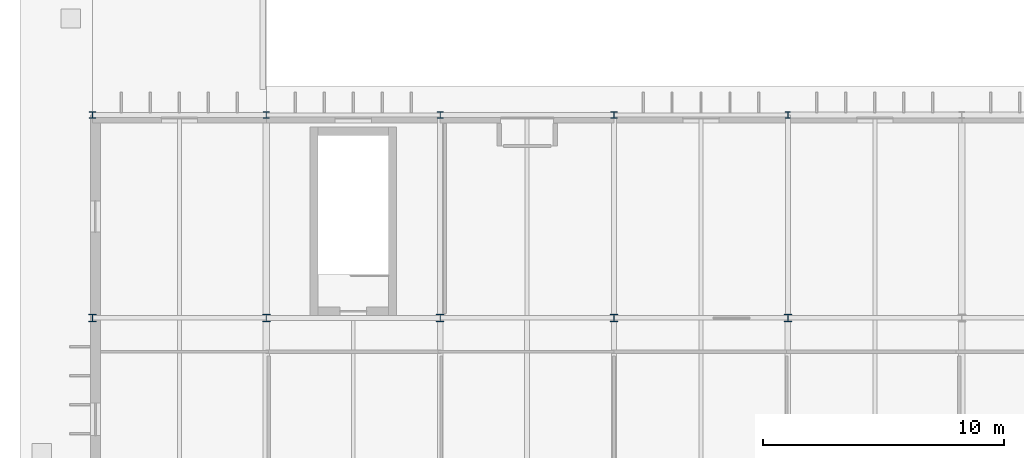
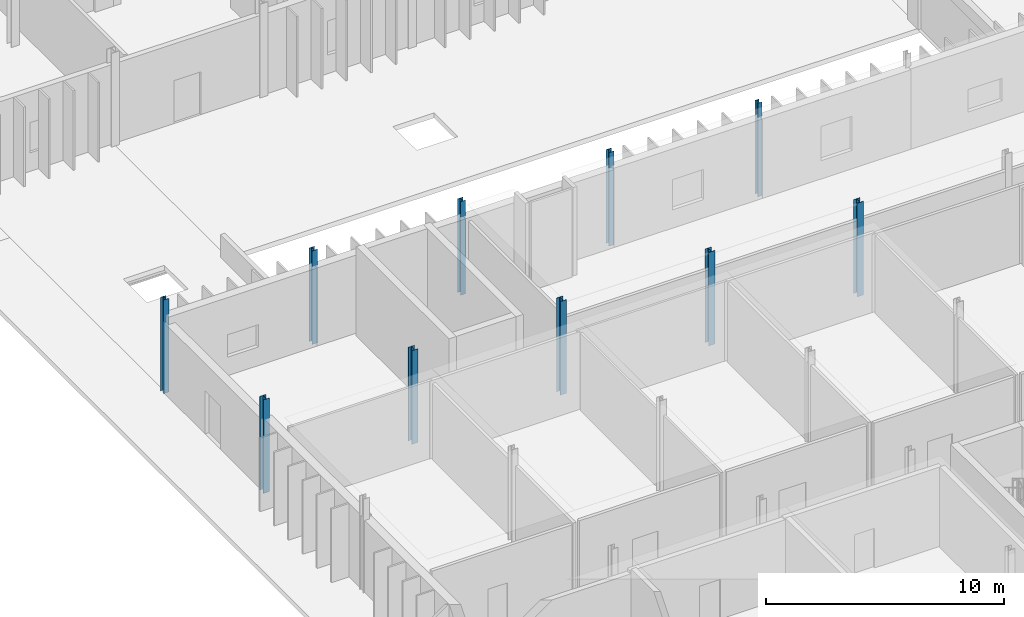
# One storey, part 10 of 118: 10 columns.
"""IFC4 building model written with IfcOpenShell, lengths in metres."""

from ifc_helpers import new_model, si_unit, direction, frame, origin, origin_2d, place, context, subcontext, project, spatial, i_section, extrude, material, material_profile, profile_set, type_object, element, save


model = new_model("IFC4")

# Units and contexts
model_context = context("Model", 3, precision=1e-05, world=origin(), true_north=direction((0.0, 1.0)))
body_context = subcontext(model_context, "Body", "Model", "MODEL_VIEW")
ifc_project = project(units=[si_unit("LENGTHUNIT", "METRE"), si_unit("AREAUNIT", "SQUARE_METRE"), si_unit("VOLUMEUNIT", "CUBIC_METRE"), si_unit("PLANEANGLEUNIT", "RADIAN"), si_unit("MASSUNIT", "GRAM", prefix="KILO")], contexts=[model_context])

# Site, building, storey
site_placement = place(None, origin())
site = spatial("IfcSite", under=ifc_project, at=site_placement, CompositionType="ELEMENT")
building_placement = place(site_placement, origin())
building = spatial("IfcBuilding", under=site, at=building_placement, Name="Qelthora Terrace Specialist Clinic", CompositionType="ELEMENT")
storey_placement = place(building_placement, origin())
storey = spatial("IfcBuildingStorey", under=building, at=storey_placement, Name="L00", CompositionType="ELEMENT", Elevation=0.0)

# Columns
ifc_material = material(Name="Steel S355", Category="steel")
ifc_material_profile_1 = material_profile(ifc_material, i_section(OverallWidth=0.2041015625, OverallDepth=0.257080078125, WebThickness=0.0087890625, FlangeThickness=0.015625, FilletRadius=0.012939453125, at=origin_2d()), Name="W250X67")
ifc_profile_set_1 = profile_set([ifc_material_profile_1], Name="Steel S355")
column_type_1 = type_object("IfcColumnType", Name="COL-W250X67", PredefinedType="COLUMN", material=ifc_profile_set_1)
column_1_placement = place(storey_placement, frame((28.800048828125, 42.0, 0.0), z_axis=(0.0, 0.0, 1.0), x_axis=(1.0, 0.0, 0.0)))
element("IfcColumn", 1, at=column_1_placement, inside=storey, type_object=column_type_1, Name="Column L00-059", PredefinedType="COLUMN", context=body_context, shape_type="SweptSolid", body=[
    extrude(i_section(OverallWidth=0.2041015625, OverallDepth=0.257080078125, WebThickness=0.0087890625, FlangeThickness=0.015625, FilletRadius=0.012939453125, at=origin_2d()), origin(), (0.0, 0.0, 1.0), 4.800048828125),
])
ifc_material_profile_2 = material_profile(ifc_material, i_section(OverallWidth=0.25390625, OverallDepth=0.2529296875, WebThickness=0.008544921875, FlangeThickness=0.01416015625, FilletRadius=0.012939453125, at=origin_2d()), Name="W250X73")
ifc_profile_set_2 = profile_set([ifc_material_profile_2], Name="Steel S355")
column_type_2 = type_object("IfcColumnType", Name="COL-W250X73", PredefinedType="COLUMN", material=ifc_profile_set_2)
for number, where, z_axis, x_axis, name in (
    (2, (0.0, 42.0, 0.0), (0.0, 0.0, 1.0), (1.0, 0.0, 0.0), "Column L00-006"),
    (3, (14.39990234375, 42.0, 0.0), (0.0, 0.0, 1.0), (1.0, 0.0, 0.0), "Column L00-034"),
):
    element("IfcColumn", number, at=place(storey_placement, frame(where, z_axis=z_axis, x_axis=x_axis)), inside=storey, type_object=column_type_2, Name=name, PredefinedType="COLUMN", context=body_context, shape_type="SweptSolid", body=[
        extrude(i_section(OverallWidth=0.25390625, OverallDepth=0.2529296875, WebThickness=0.008544921875, FlangeThickness=0.01416015625, FilletRadius=0.012939453125, at=origin_2d()), origin(), (0.0, 0.0, 1.0), 4.800048828125),
    ])
ifc_material_profile_3 = material_profile(ifc_material, i_section(OverallWidth=0.256103515625, OverallDepth=0.260009765625, WebThickness=0.0107421875, FlangeThickness=0.017333984375, FilletRadius=0.012939453125, at=origin_2d()), Name="W250X89")
ifc_profile_set_3 = profile_set([ifc_material_profile_3], Name="Steel S355")
column_type_3 = type_object("IfcColumnType", Name="COL-W250X89", PredefinedType="COLUMN", material=ifc_profile_set_3)
for number, where, z_axis, x_axis, name in (
    (4, (7.199951171875, 42.0, 0.0), (0.0, 0.0, 1.0), (1.0, 0.0, 0.0), "Column L00-020"),
    (5, (21.60009765625, 42.0, 0.0), (0.0, 0.0, 1.0), (1.0, 0.0, 0.0), "Column L00-048"),
):
    element("IfcColumn", number, at=place(storey_placement, frame(where, z_axis=z_axis, x_axis=x_axis)), inside=storey, type_object=column_type_3, Name=name, PredefinedType="COLUMN", context=body_context, shape_type="SweptSolid", body=[
        extrude(i_section(OverallWidth=0.256103515625, OverallDepth=0.260009765625, WebThickness=0.0107421875, FlangeThickness=0.017333984375, FilletRadius=0.012939453125, at=origin_2d()), origin(), (0.0, 0.0, 1.0), 4.800048828125),
    ])
ifc_material_profile_4 = material_profile(ifc_material, i_section(OverallWidth=0.305908203125, OverallDepth=0.31103515625, WebThickness=0.010986328125, FlangeThickness=0.01708984375, FilletRadius=0.014892578125, at=origin_2d()), Name="W310X107")
ifc_profile_set_4 = profile_set([ifc_material_profile_4], Name="Steel S355")
column_type_4 = type_object("IfcColumnType", Name="COL-W310X107", PredefinedType="COLUMN", material=ifc_profile_set_4)
for number, where, z_axis, x_axis, name in (
    (6, (7.199951171875, 33.60009765625, 0.0), (0.0, 0.0, 1.0), (1.0, 0.0, 0.0), "Column L00-019"),
    (7, (28.800048828125, 33.60009765625, 0.0), (0.0, 0.0, 1.0), (1.0, 0.0, 0.0), "Column L00-058"),
):
    element("IfcColumn", number, at=place(storey_placement, frame(where, z_axis=z_axis, x_axis=x_axis)), inside=storey, type_object=column_type_4, Name=name, PredefinedType="COLUMN", context=body_context, shape_type="SweptSolid", body=[
        extrude(i_section(OverallWidth=0.305908203125, OverallDepth=0.31103515625, WebThickness=0.010986328125, FlangeThickness=0.01708984375, FilletRadius=0.014892578125, at=origin_2d()), origin(), (0.0, 0.0, 1.0), 4.800048828125),
    ])
ifc_material_profile_5 = material_profile(ifc_material, i_section(OverallWidth=0.306884765625, OverallDepth=0.31396484375, WebThickness=0.011962890625, FlangeThickness=0.018798828125, FilletRadius=0.01611328125, at=origin_2d()), Name="W310X118")
ifc_profile_set_5 = profile_set([ifc_material_profile_5], Name="Steel S355")
column_type_5 = type_object("IfcColumnType", Name="COL-W310X118", PredefinedType="COLUMN", material=ifc_profile_set_5)
column_2_placement = place(storey_placement, frame((14.39990234375, 33.60009765625, 0.0), z_axis=(0.0, 0.0, 1.0), x_axis=(1.0, 0.0, 0.0)))
element("IfcColumn", 8, at=column_2_placement, inside=storey, type_object=column_type_5, Name="Column L00-033", PredefinedType="COLUMN", context=body_context, shape_type="SweptSolid", body=[
    extrude(i_section(OverallWidth=0.306884765625, OverallDepth=0.31396484375, WebThickness=0.011962890625, FlangeThickness=0.018798828125, FilletRadius=0.01611328125, at=origin_2d()), origin(), (0.0, 0.0, 1.0), 4.800048828125),
])
ifc_material_profile_6 = material_profile(ifc_material, i_section(OverallWidth=0.304931640625, OverallDepth=0.30810546875, WebThickness=0.010009765625, FlangeThickness=0.015380859375, FilletRadius=0.014892578125, at=origin_2d()), Name="W310X97")
ifc_profile_set_6 = profile_set([ifc_material_profile_6], Name="Steel S355")
column_type_6 = type_object("IfcColumnType", Name="COL-W310X97", PredefinedType="COLUMN", material=ifc_profile_set_6)
for number, where, z_axis, x_axis, name in (
    (9, (0.0, 33.60009765625, 0.0), (0.0, 0.0, 1.0), (1.0, 0.0, 0.0), "Column L00-005"),
    (10, (21.60009765625, 33.60009765625, 0.0), (0.0, 0.0, 1.0), (1.0, 0.0, 0.0), "Column L00-047"),
):
    element("IfcColumn", number, at=place(storey_placement, frame(where, z_axis=z_axis, x_axis=x_axis)), inside=storey, type_object=column_type_6, Name=name, PredefinedType="COLUMN", context=body_context, shape_type="SweptSolid", body=[
        extrude(i_section(OverallWidth=0.304931640625, OverallDepth=0.30810546875, WebThickness=0.010009765625, FlangeThickness=0.015380859375, FilletRadius=0.014892578125, at=origin_2d()), origin(), (0.0, 0.0, 1.0), 4.800048828125),
    ])

save(model, "model.ifc")
